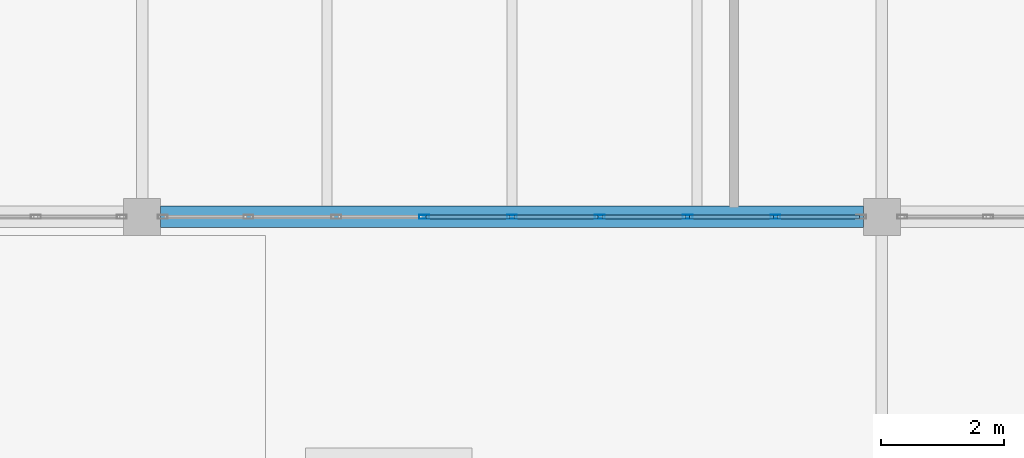
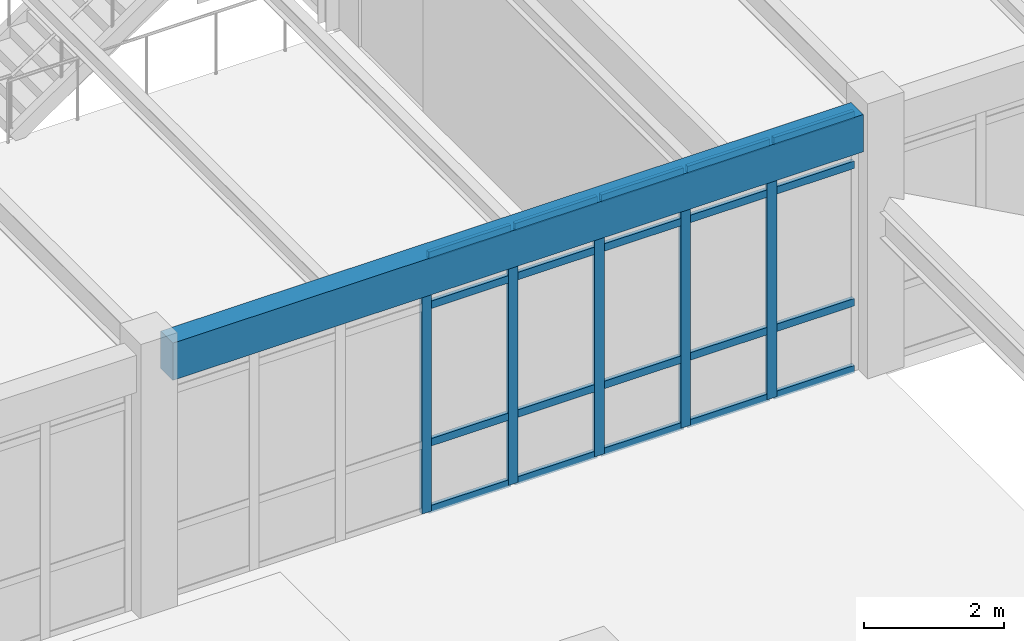
# One storey, part 120 of 236: 25 members, 1 beam, 1 element without a shape of its own.
"""IFC4 building model written with IfcOpenShell, lengths in metres."""

from ifc_helpers import new_model, si_unit, direction, frame, origin, origin_2d, place, context, subcontext, project, spatial, rectangle, hollow_rectangle, extrude, material, layer, layer_set, material_profile, profile_set, type_object, element, aggregate, save


model = new_model("IFC4")

# Units and contexts
model_context = context("Model", 3, precision=1e-05, world=origin(), true_north=direction((0.0, 1.0)))
body_context = subcontext(model_context, "Body", "Model", "MODEL_VIEW")
ifc_project = project(units=[si_unit("LENGTHUNIT", "METRE"), si_unit("AREAUNIT", "SQUARE_METRE"), si_unit("VOLUMEUNIT", "CUBIC_METRE"), si_unit("PLANEANGLEUNIT", "RADIAN"), si_unit("MASSUNIT", "GRAM", prefix="KILO")], contexts=[model_context])

# Site, building, storey
site_placement = place(None, origin())
site = spatial("IfcSite", under=ifc_project, at=site_placement, CompositionType="ELEMENT")
building_placement = place(site_placement, origin())
building = spatial("IfcBuilding", under=site, at=building_placement, Name="Pandanus Reach Market Hall", CompositionType="ELEMENT")
storey_placement = place(building_placement, frame((0.0, 0.0, 5.39990234375)))
storey = spatial("IfcBuildingStorey", under=building, at=storey_placement, Name="L01", CompositionType="ELEMENT", Elevation=5.39990234375)

# Beam
ifc_material_1 = material(Name="Concrete N40 (40 MPa)", Category="concrete")
ifc_material_profile_1 = material_profile(ifc_material_1, rectangle(XDim=0.35009765625, YDim=0.64990234375, at=origin_2d()), Name="RC350x650", Category="LoadBearing")
ifc_profile_set_1 = profile_set([ifc_material_profile_1], Name="Concrete N40 (40 MPa)")
beam_type = type_object("IfcBeamType", Name="BM-RC350-E", PredefinedType="SPANDREL", material=ifc_profile_set_1)
beam_placement = place(storey_placement, frame((156.298095703125, 9.60009765625, 4.215087890625), z_axis=(1.0, 0.0, 0.0), x_axis=(0.0, 1.0, 0.0)))
element("IfcBeam", 1, at=beam_placement, inside=storey, type_object=beam_type, Name="Framing beam BM-RC350-E L01.307", PredefinedType="SPANDREL", context=body_context, shape_type="SweptSolid", body=[
    extrude(rectangle(XDim=0.35009765625, YDim=0.64990234375, at=origin_2d()), origin(), (0.0, 0.0, 1.0), 11.40380859375),
])

# Curtain wall, members
ifc_material_2 = material(Name="Bronze anodised aluminium and low-E glass", Category="aluminium")
ifc_layer = layer(ifc_material_2, 0.159912109375, Name="CW-27")
ifc_layer_set = layer_set([ifc_layer], Name="Bronze anodised aluminium and low-E glass")
curtain_wall_type = type_object("IfcCurtainWallType", Name="CW-27", PredefinedType="NOTDEFINED", material=ifc_layer_set)
curtain_wall_placement = place(storey_placement, origin())
curtain_wall = element("IfcCurtainWall", 2, at=curtain_wall_placement, inside=storey, type_object=curtain_wall_type, Name="Glazed curtain wall CW-27 CW-0083", PredefinedType="NOTDEFINED")
ifc_material_3 = material(Name="Bronze anodised aluminium", Category="aluminium")
ifc_material_profile_2 = material_profile(ifc_material_3, hollow_rectangle(XDim=0.06494140625, YDim=0.159912109375, WallThickness=0.00390625, at=origin_2d()), Name="ALU65x160", Category="LoadBearing")
ifc_profile_set_2 = profile_set([ifc_material_profile_2], Name="Bronze anodised aluminium")
member_type_1 = type_object("IfcMemberType", Name="CW-M1", PredefinedType="MULLION", material=ifc_profile_set_2)
member_1_placement = place(storey_placement, frame((160.574951171875, 9.60009765625, 0.0), z_axis=(0.0, 0.0, 1.0), x_axis=(0.0, 1.0, 0.0)))
member_1 = element("IfcMember", 3, at=member_1_placement, type_object=member_type_1, Name="CW-27 mullion 4", PredefinedType="MULLION", context=body_context, shape_type="SweptSolid", body=[
    extrude(hollow_rectangle(XDim=0.06494140625, YDim=0.159912109375, WallThickness=0.00390625, at=origin_2d()), origin(), (0.0, 0.0, 1.0), 4.5),
])
member_2_placement = place(storey_placement, frame((162.0, 9.60009765625, 0.0), z_axis=(0.0, 0.0, 1.0), x_axis=(0.0, 1.0, 0.0)))
member_2 = element("IfcMember", 4, at=member_2_placement, type_object=member_type_1, Name="CW-27 mullion 5", PredefinedType="MULLION", context=body_context, shape_type="SweptSolid", body=[
    extrude(hollow_rectangle(XDim=0.06494140625, YDim=0.159912109375, WallThickness=0.00390625, at=origin_2d()), origin(), (0.0, 0.0, 1.0), 4.5),
])
member_3_placement = place(storey_placement, frame((163.425048828125, 9.60009765625, 0.0), z_axis=(0.0, 0.0, 1.0), x_axis=(0.0, 1.0, 0.0)))
member_3 = element("IfcMember", 5, at=member_3_placement, type_object=member_type_1, Name="CW-27 mullion 6", PredefinedType="MULLION", context=body_context, shape_type="SweptSolid", body=[
    extrude(hollow_rectangle(XDim=0.06494140625, YDim=0.159912109375, WallThickness=0.00390625, at=origin_2d()), origin(), (0.0, 0.0, 1.0), 4.5),
])
member_4_placement = place(storey_placement, frame((164.85009765625, 9.60009765625, 0.0), z_axis=(0.0, 0.0, 1.0), x_axis=(0.0, 1.0, 0.0)))
member_4 = element("IfcMember", 6, at=member_4_placement, type_object=member_type_1, Name="CW-27 mullion 7", PredefinedType="MULLION", context=body_context, shape_type="SweptSolid", body=[
    extrude(hollow_rectangle(XDim=0.06494140625, YDim=0.159912109375, WallThickness=0.00390625, at=origin_2d()), origin(), (0.0, 0.0, 1.0), 4.5),
])
member_5_placement = place(storey_placement, frame((166.27490234375, 9.60009765625, 0.0), z_axis=(0.0, 0.0, 1.0), x_axis=(0.0, 1.0, 0.0)))
member_5 = element("IfcMember", 7, at=member_5_placement, type_object=member_type_1, Name="CW-27 mullion 8", PredefinedType="MULLION", context=body_context, shape_type="SweptSolid", body=[
    extrude(hollow_rectangle(XDim=0.06494140625, YDim=0.159912109375, WallThickness=0.00390625, at=origin_2d()), origin(), (0.0, 0.0, 1.0), 4.5),
])
ifc_material_profile_3 = material_profile(ifc_material_3, hollow_rectangle(XDim=0.06494140625, YDim=0.1298828125, WallThickness=0.00390625, at=origin_2d()), Name="ALU65x130", Category="LoadBearing")
ifc_profile_set_3 = profile_set([ifc_material_profile_3], Name="Bronze anodised aluminium")
member_type_2 = type_object("IfcMemberType", Name="CW-T1", PredefinedType="USERDEFINED", material=ifc_profile_set_3)
member_6_placement = place(storey_placement, frame((160.607421875, 9.60009765625, 0.03271484375), z_axis=(1.0, 0.0, 0.0), x_axis=(0.0, 1.0, 0.0)))
member_6 = element("IfcMember", 8, at=member_6_placement, type_object=member_type_2, Name="CW-27 transom 4.1", ObjectType="TRANSOM", PredefinedType="USERDEFINED", context=body_context, shape_type="SweptSolid", body=[
    extrude(hollow_rectangle(XDim=0.06494140625, YDim=0.1298828125, WallThickness=0.00390625, at=origin_2d()), origin(), (0.0, 0.0, 1.0), 1.360107421875),
])
member_7_placement = place(storey_placement, frame((160.607421875, 9.60009765625, 1.2001953125), z_axis=(1.0, 0.0, 0.0), x_axis=(0.0, 1.0, 0.0)))
member_7 = element("IfcMember", 9, at=member_7_placement, type_object=member_type_2, Name="CW-27 transom 4.2", ObjectType="TRANSOM", PredefinedType="USERDEFINED", context=body_context, shape_type="SweptSolid", body=[
    extrude(hollow_rectangle(XDim=0.06494140625, YDim=0.1298828125, WallThickness=0.00390625, at=origin_2d()), origin(), (0.0, 0.0, 1.0), 1.360107421875),
])
member_8_placement = place(storey_placement, frame((160.607421875, 9.60009765625, 3.60009765625), z_axis=(1.0, 0.0, 0.0), x_axis=(0.0, 1.0, 0.0)))
member_8 = element("IfcMember", 10, at=member_8_placement, type_object=member_type_2, Name="CW-27 transom 4.3", ObjectType="TRANSOM", PredefinedType="USERDEFINED", context=body_context, shape_type="SweptSolid", body=[
    extrude(hollow_rectangle(XDim=0.06494140625, YDim=0.1298828125, WallThickness=0.00390625, at=origin_2d()), origin(), (0.0, 0.0, 1.0), 1.360107421875),
])
member_9_placement = place(storey_placement, frame((160.607421875, 9.60009765625, 4.467529296875), z_axis=(1.0, 0.0, 0.0), x_axis=(0.0, 1.0, 0.0)))
member_9 = element("IfcMember", 11, at=member_9_placement, type_object=member_type_2, Name="CW-27 transom 4.4", ObjectType="TRANSOM", PredefinedType="USERDEFINED", context=body_context, shape_type="SweptSolid", body=[
    extrude(hollow_rectangle(XDim=0.06494140625, YDim=0.1298828125, WallThickness=0.00390625, at=origin_2d()), origin(), (0.0, 0.0, 1.0), 1.360107421875),
])
member_10_placement = place(storey_placement, frame((162.032470703125, 9.60009765625, 0.03271484375), z_axis=(1.0, 0.0, 0.0), x_axis=(0.0, 1.0, 0.0)))
member_10 = element("IfcMember", 12, at=member_10_placement, type_object=member_type_2, Name="CW-27 transom 5.1", ObjectType="TRANSOM", PredefinedType="USERDEFINED", context=body_context, shape_type="SweptSolid", body=[
    extrude(hollow_rectangle(XDim=0.06494140625, YDim=0.1298828125, WallThickness=0.00390625, at=origin_2d()), origin(), (0.0, 0.0, 1.0), 1.360107421875),
])
member_11_placement = place(storey_placement, frame((162.032470703125, 9.60009765625, 1.2001953125), z_axis=(1.0, 0.0, 0.0), x_axis=(0.0, 1.0, 0.0)))
member_11 = element("IfcMember", 13, at=member_11_placement, type_object=member_type_2, Name="CW-27 transom 5.2", ObjectType="TRANSOM", PredefinedType="USERDEFINED", context=body_context, shape_type="SweptSolid", body=[
    extrude(hollow_rectangle(XDim=0.06494140625, YDim=0.1298828125, WallThickness=0.00390625, at=origin_2d()), origin(), (0.0, 0.0, 1.0), 1.360107421875),
])
member_12_placement = place(storey_placement, frame((162.032470703125, 9.60009765625, 3.60009765625), z_axis=(1.0, 0.0, 0.0), x_axis=(0.0, 1.0, 0.0)))
member_12 = element("IfcMember", 14, at=member_12_placement, type_object=member_type_2, Name="CW-27 transom 5.3", ObjectType="TRANSOM", PredefinedType="USERDEFINED", context=body_context, shape_type="SweptSolid", body=[
    extrude(hollow_rectangle(XDim=0.06494140625, YDim=0.1298828125, WallThickness=0.00390625, at=origin_2d()), origin(), (0.0, 0.0, 1.0), 1.360107421875),
])
member_13_placement = place(storey_placement, frame((162.032470703125, 9.60009765625, 4.467529296875), z_axis=(1.0, 0.0, 0.0), x_axis=(0.0, 1.0, 0.0)))
member_13 = element("IfcMember", 15, at=member_13_placement, type_object=member_type_2, Name="CW-27 transom 5.4", ObjectType="TRANSOM", PredefinedType="USERDEFINED", context=body_context, shape_type="SweptSolid", body=[
    extrude(hollow_rectangle(XDim=0.06494140625, YDim=0.1298828125, WallThickness=0.00390625, at=origin_2d()), origin(), (0.0, 0.0, 1.0), 1.360107421875),
])
member_14_placement = place(storey_placement, frame((163.45751953125, 9.60009765625, 0.03271484375), z_axis=(1.0, 0.0, 0.0), x_axis=(0.0, 1.0, 0.0)))
member_14 = element("IfcMember", 16, at=member_14_placement, type_object=member_type_2, Name="CW-27 transom 6.1", ObjectType="TRANSOM", PredefinedType="USERDEFINED", context=body_context, shape_type="SweptSolid", body=[
    extrude(hollow_rectangle(XDim=0.06494140625, YDim=0.1298828125, WallThickness=0.00390625, at=origin_2d()), origin(), (0.0, 0.0, 1.0), 1.35986328125),
])
member_15_placement = place(storey_placement, frame((163.45751953125, 9.60009765625, 1.2001953125), z_axis=(1.0, 0.0, 0.0), x_axis=(0.0, 1.0, 0.0)))
member_15 = element("IfcMember", 17, at=member_15_placement, type_object=member_type_2, Name="CW-27 transom 6.2", ObjectType="TRANSOM", PredefinedType="USERDEFINED", context=body_context, shape_type="SweptSolid", body=[
    extrude(hollow_rectangle(XDim=0.06494140625, YDim=0.1298828125, WallThickness=0.00390625, at=origin_2d()), origin(), (0.0, 0.0, 1.0), 1.35986328125),
])
member_16_placement = place(storey_placement, frame((163.45751953125, 9.60009765625, 3.60009765625), z_axis=(1.0, 0.0, 0.0), x_axis=(0.0, 1.0, 0.0)))
member_16 = element("IfcMember", 18, at=member_16_placement, type_object=member_type_2, Name="CW-27 transom 6.3", ObjectType="TRANSOM", PredefinedType="USERDEFINED", context=body_context, shape_type="SweptSolid", body=[
    extrude(hollow_rectangle(XDim=0.06494140625, YDim=0.1298828125, WallThickness=0.00390625, at=origin_2d()), origin(), (0.0, 0.0, 1.0), 1.35986328125),
])
member_17_placement = place(storey_placement, frame((163.45751953125, 9.60009765625, 4.467529296875), z_axis=(1.0, 0.0, 0.0), x_axis=(0.0, 1.0, 0.0)))
member_17 = element("IfcMember", 19, at=member_17_placement, type_object=member_type_2, Name="CW-27 transom 6.4", ObjectType="TRANSOM", PredefinedType="USERDEFINED", context=body_context, shape_type="SweptSolid", body=[
    extrude(hollow_rectangle(XDim=0.06494140625, YDim=0.1298828125, WallThickness=0.00390625, at=origin_2d()), origin(), (0.0, 0.0, 1.0), 1.35986328125),
])
member_18_placement = place(storey_placement, frame((164.882568359375, 9.60009765625, 0.03271484375), z_axis=(1.0, 0.0, 0.0), x_axis=(0.0, 1.0, 0.0)))
member_18 = element("IfcMember", 20, at=member_18_placement, type_object=member_type_2, Name="CW-27 transom 7.1", ObjectType="TRANSOM", PredefinedType="USERDEFINED", context=body_context, shape_type="SweptSolid", body=[
    extrude(hollow_rectangle(XDim=0.06494140625, YDim=0.1298828125, WallThickness=0.00390625, at=origin_2d()), origin(), (0.0, 0.0, 1.0), 1.35986328125),
])
member_19_placement = place(storey_placement, frame((164.882568359375, 9.60009765625, 1.2001953125), z_axis=(1.0, 0.0, 0.0), x_axis=(0.0, 1.0, 0.0)))
member_19 = element("IfcMember", 21, at=member_19_placement, type_object=member_type_2, Name="CW-27 transom 7.2", ObjectType="TRANSOM", PredefinedType="USERDEFINED", context=body_context, shape_type="SweptSolid", body=[
    extrude(hollow_rectangle(XDim=0.06494140625, YDim=0.1298828125, WallThickness=0.00390625, at=origin_2d()), origin(), (0.0, 0.0, 1.0), 1.35986328125),
])
member_20_placement = place(storey_placement, frame((164.882568359375, 9.60009765625, 3.60009765625), z_axis=(1.0, 0.0, 0.0), x_axis=(0.0, 1.0, 0.0)))
member_20 = element("IfcMember", 22, at=member_20_placement, type_object=member_type_2, Name="CW-27 transom 7.3", ObjectType="TRANSOM", PredefinedType="USERDEFINED", context=body_context, shape_type="SweptSolid", body=[
    extrude(hollow_rectangle(XDim=0.06494140625, YDim=0.1298828125, WallThickness=0.00390625, at=origin_2d()), origin(), (0.0, 0.0, 1.0), 1.35986328125),
])
member_21_placement = place(storey_placement, frame((164.882568359375, 9.60009765625, 4.467529296875), z_axis=(1.0, 0.0, 0.0), x_axis=(0.0, 1.0, 0.0)))
member_21 = element("IfcMember", 23, at=member_21_placement, type_object=member_type_2, Name="CW-27 transom 7.4", ObjectType="TRANSOM", PredefinedType="USERDEFINED", context=body_context, shape_type="SweptSolid", body=[
    extrude(hollow_rectangle(XDim=0.06494140625, YDim=0.1298828125, WallThickness=0.00390625, at=origin_2d()), origin(), (0.0, 0.0, 1.0), 1.35986328125),
])
member_22_placement = place(storey_placement, frame((166.3076171875, 9.60009765625, 0.03271484375), z_axis=(1.0, 0.0, 0.0), x_axis=(0.0, 1.0, 0.0)))
member_22 = element("IfcMember", 24, at=member_22_placement, type_object=member_type_2, Name="CW-27 transom 8.1", ObjectType="TRANSOM", PredefinedType="USERDEFINED", context=body_context, shape_type="SweptSolid", body=[
    extrude(hollow_rectangle(XDim=0.06494140625, YDim=0.1298828125, WallThickness=0.00390625, at=origin_2d()), origin(), (0.0, 0.0, 1.0), 1.327392578125),
])
member_23_placement = place(storey_placement, frame((166.3076171875, 9.60009765625, 1.2001953125), z_axis=(1.0, 0.0, 0.0), x_axis=(0.0, 1.0, 0.0)))
member_23 = element("IfcMember", 25, at=member_23_placement, type_object=member_type_2, Name="CW-27 transom 8.2", ObjectType="TRANSOM", PredefinedType="USERDEFINED", context=body_context, shape_type="SweptSolid", body=[
    extrude(hollow_rectangle(XDim=0.06494140625, YDim=0.1298828125, WallThickness=0.00390625, at=origin_2d()), origin(), (0.0, 0.0, 1.0), 1.327392578125),
])
member_24_placement = place(storey_placement, frame((166.3076171875, 9.60009765625, 3.60009765625), z_axis=(1.0, 0.0, 0.0), x_axis=(0.0, 1.0, 0.0)))
member_24 = element("IfcMember", 26, at=member_24_placement, type_object=member_type_2, Name="CW-27 transom 8.3", ObjectType="TRANSOM", PredefinedType="USERDEFINED", context=body_context, shape_type="SweptSolid", body=[
    extrude(hollow_rectangle(XDim=0.06494140625, YDim=0.1298828125, WallThickness=0.00390625, at=origin_2d()), origin(), (0.0, 0.0, 1.0), 1.327392578125),
])
member_25_placement = place(storey_placement, frame((166.3076171875, 9.60009765625, 4.467529296875), z_axis=(1.0, 0.0, 0.0), x_axis=(0.0, 1.0, 0.0)))
member_25 = element("IfcMember", 27, at=member_25_placement, type_object=member_type_2, Name="CW-27 transom 8.4", ObjectType="TRANSOM", PredefinedType="USERDEFINED", context=body_context, shape_type="SweptSolid", body=[
    extrude(hollow_rectangle(XDim=0.06494140625, YDim=0.1298828125, WallThickness=0.00390625, at=origin_2d()), origin(), (0.0, 0.0, 1.0), 1.327392578125),
])
aggregate(curtain_wall, [member_1, member_2, member_3, member_4, member_5, member_6, member_7, member_8, member_9, member_10, member_11, member_12, member_13, member_14, member_15, member_16, member_17, member_18, member_19, member_20, member_21, member_22, member_23, member_24, member_25])

save(model, "model.ifc")
